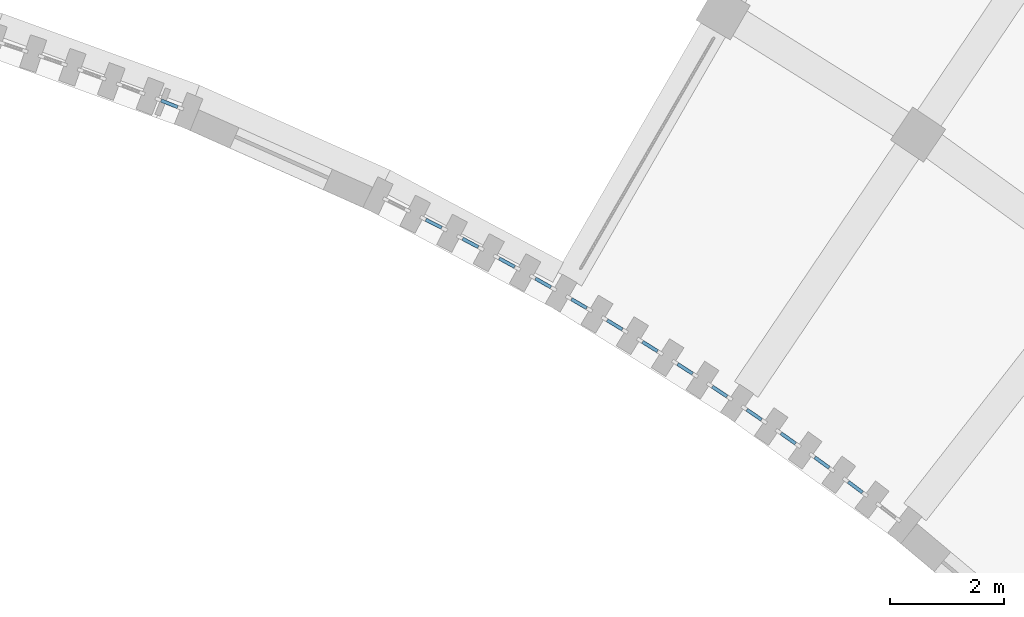
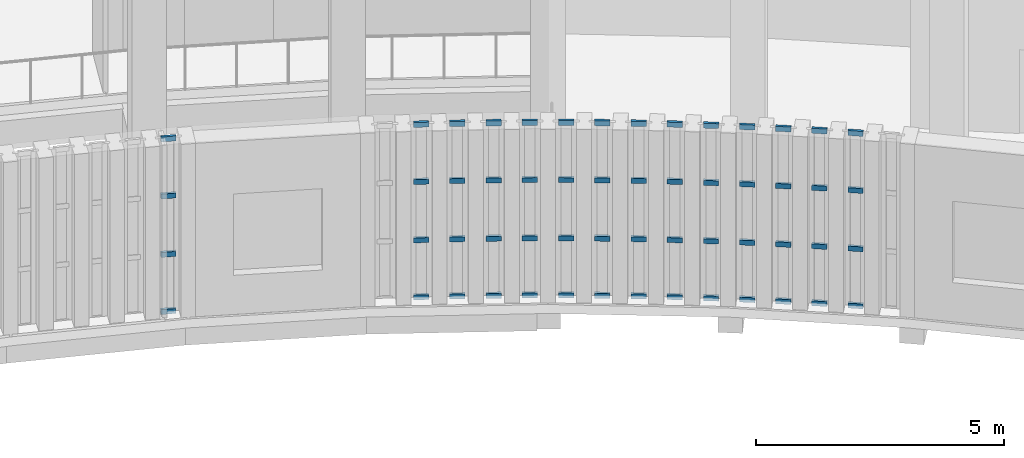
# One storey, part 36 of 112: 56 members, 14 elements without a shape of their own.
"""IFC4 building model written with IfcOpenShell, lengths in metres."""

import ifcopenshell
import ifcopenshell.guid

model = None  # the IFC model being written
_history = None  # IfcOwnerHistory: only IFC2X3 demands one
_inside = {}  # id of a spatial element -> (the spatial element, [elements in it])
_under = {}  # id of a project, library or spatial element -> (it, [spatial elements below it])
_declared = {}  # id of a project -> (the project, [libraries it declares])
_typed = {}  # id of a type object -> (the type object, [elements of that type])
_made_of = {}  # id of a material, layer set ... -> (it, [elements and type objects made of it])


def new_model(schema):
    """Start an empty IFC model of exactly this schema.

    Asked for "IFC4X3", IfcOpenShell would pick the latest addendum, in which some entities
    have other attributes; the version numbers below select the first issue.
    IFC2X3 requires an IfcOwnerHistory on every rooted entity: one is made here for all.
    """
    global model, _history
    if schema == "IFC4X3":
        model = ifcopenshell.file(schema_version=(4, 3, 0, 0))
    else:
        model = ifcopenshell.file(schema=schema)
    _inside.clear()
    _under.clear()
    _declared.clear()
    _typed.clear()
    _made_of.clear()
    _history = None
    if model.schema == "IFC2X3":
        org = make("IfcOrganization", Name="unknown")
        user = make(
            "IfcPersonAndOrganization",
            ThePerson=make("IfcPerson", FamilyName="unknown"),
            TheOrganization=org,
        )
        app = make(
            "IfcApplication",
            ApplicationDeveloper=org,
            Version="unknown",
            ApplicationFullName="unknown",
            ApplicationIdentifier="unknown",
        )
        _history = make(
            "IfcOwnerHistory",
            OwningUser=user,
            OwningApplication=app,
            ChangeAction="ADDED",
            CreationDate=0,
        )
    return model


def make(cls, **values):
    """One entity of the class cls with the attributes given. An attribute that is None is left unset."""
    return model.create_entity(
        cls, **{name: value for name, value in values.items() if value is not None}
    )


def rooted(cls, **values):
    """An entity with a GlobalId (a new one), such as an element, a storey or a relation."""
    return make(cls, GlobalId=ifcopenshell.guid.new(), OwnerHistory=_history, **values)


def si_unit(unit_type, name, prefix=None):
    """IfcSIUnit, for example si_unit("LENGTHUNIT", "METRE", prefix="MILLI")."""
    return make("IfcSIUnit", UnitType=unit_type, Prefix=prefix, Name=name)


def assignment(units):
    """IfcUnitAssignment: the units of a project."""
    return None if units is None else make("IfcUnitAssignment", Units=units)


def point(xyz):
    """IfcCartesianPoint."""
    return None if xyz is None else make("IfcCartesianPoint", Coordinates=xyz)


def direction(xyz):
    """IfcDirection."""
    return None if xyz is None else make("IfcDirection", DirectionRatios=xyz)


def frame(location, z_axis=None, x_axis=None):
    """IfcAxis2Placement3D, a coordinate frame: its origin and axes. An axis left out is left unset."""
    return make(
        "IfcAxis2Placement3D",
        Location=point(location),
        Axis=direction(z_axis),
        RefDirection=direction(x_axis),
    )


def frame_2d(location, x_axis=None):
    """IfcAxis2Placement2D, a coordinate frame in the plane: its origin and x axis."""
    return make(
        "IfcAxis2Placement2D", Location=point(location), RefDirection=direction(x_axis)
    )


def origin():
    """The frame at (0, 0, 0) with its axes left unset."""
    return frame((0.0, 0.0, 0.0))


def origin_2d():
    """The frame at (0, 0) in the plane with its x axis left unset."""
    return frame_2d((0.0, 0.0))


def place(relative_to, where):
    """IfcLocalPlacement: puts the frame where relative to a parent placement (None: the world)."""
    return make(
        "IfcLocalPlacement", PlacementRelTo=relative_to, RelativePlacement=where
    )


def context(
    kind, dimensions, precision=None, world=None, true_north=None, identifier=None
):
    """IfcGeometricRepresentationContext, for example the 3D "Model" context."""
    return make(
        "IfcGeometricRepresentationContext",
        ContextIdentifier=identifier,
        ContextType=kind,
        CoordinateSpaceDimension=dimensions,
        Precision=precision,
        WorldCoordinateSystem=world,
        TrueNorth=true_north,
    )


def subcontext(parent, identifier, kind, view, scale=None):
    """IfcGeometricRepresentationSubContext, for example "Body" below "Model"."""
    return make(
        "IfcGeometricRepresentationSubContext",
        ContextIdentifier=identifier,
        ContextType=kind,
        ParentContext=parent,
        TargetScale=scale,
        TargetView=view,
    )


def project(units=None, contexts=None):
    """IfcProject with its units and contexts."""
    return rooted(
        "IfcProject",
        Name="project",
        RepresentationContexts=contexts,
        UnitsInContext=assignment(units),
    )


def spatial(cls, under=None, at=None, **own):
    """A site, building, storey or space (cls), placed at a placement, below another one or the project."""
    s = rooted(cls, ObjectPlacement=at, **own)
    if under is not None:
        _under.setdefault(under.id(), (under, []))[1].append(s)
    return s


def profile(cls, at=None, kind="AREA", **sizes):
    """A parametric profile (cls). Its sizes go by their IFC names, for example OverallWidth=200.0."""
    return make(cls, ProfileType=kind, Position=at, **sizes)


def rectangle(**sizes):
    """IfcRectangleProfileDef."""
    return profile("IfcRectangleProfileDef", **sizes)


def extrude(swept, where, along, depth):
    """IfcExtrudedAreaSolid: the profile swept, set in the frame where, extruded along a direction by depth."""
    return make(
        "IfcExtrudedAreaSolid",
        SweptArea=swept,
        Position=where,
        ExtrudedDirection=direction(along),
        Depth=depth,
    )


def shape(context_of_items, identifier, shape_type, items):
    """IfcShapeRepresentation: the items that make up one representation, for example the "Body"."""
    return make(
        "IfcShapeRepresentation",
        ContextOfItems=context_of_items,
        RepresentationIdentifier=identifier,
        RepresentationType=shape_type,
        Items=items,
    )


def material(Name=None, Category=None):
    """IfcMaterial."""
    return make("IfcMaterial", Name=Name, Category=Category)


def layer(
    of_material, thickness, ventilated=None, Name=None, Category=None, Priority=None
):
    """IfcMaterialLayer: one layer of a wall or slab, of a material (None: an air gap)."""
    return make(
        "IfcMaterialLayer",
        Material=of_material,
        LayerThickness=thickness,
        IsVentilated=ventilated,
        Name=Name,
        Category=Category,
        Priority=Priority,
    )


def layer_set(layers, Name=None):
    """IfcMaterialLayerSet."""
    return make("IfcMaterialLayerSet", MaterialLayers=layers, LayerSetName=Name)


def material_profile(
    of_material, cross_section, Name=None, Category=None, Priority=None
):
    """IfcMaterialProfile: a cross section and its material."""
    return make(
        "IfcMaterialProfile",
        Name=Name,
        Material=of_material,
        Profile=cross_section,
        Priority=Priority,
        Category=Category,
    )


def profile_set(profiles, Name=None, composite=None):
    """IfcMaterialProfileSet."""
    return make(
        "IfcMaterialProfileSet",
        Name=Name,
        MaterialProfiles=profiles,
        CompositeProfile=composite,
    )


def made_of(thing, what):
    """Note that an element or type object is made of a material, layer set ...; save() writes the relation."""
    if what is not None:
        _made_of.setdefault(what.id(), (what, []))[1].append(thing)
    return thing


def type_object(cls, material=None, **own):
    """A type object (cls), such as IfcWallType, which elements share."""
    return made_of(rooted(cls, **own), material)


def element(
    cls,
    number,
    at=None,
    inside=None,
    cuts=None,
    type_object=None,
    material=None,
    context=None,
    identifier="Body",
    shape_type=None,
    held_by="IfcProductDefinitionShape",
    body=None,
    shapes=None,
    **own,
):
    """One element of the class cls, such as IfcWall. Its Tag is "e" and its number.

    at: its placement. inside: the storey or other place that contains it. cuts: it is an
    opening in that element (IfcRelVoidsElement). A single representation is given by context,
    identifier, shape_type and body (its items); several are given by shapes. held_by: the class
    of the entity that holds the representations. save() writes the other relations.
    """
    e = rooted(cls, Tag="e%d" % number, ObjectPlacement=at, **own)
    if body is not None:
        shapes = [shape(context, identifier, shape_type, body)]
    if shapes is not None:
        e.Representation = make(held_by, Representations=shapes)
    if inside is not None:
        _inside.setdefault(inside.id(), (inside, []))[1].append(e)
    if cuts is not None:
        rooted(
            "IfcRelVoidsElement", RelatingBuildingElement=cuts, RelatedOpeningElement=e
        )
    if type_object is not None:
        _typed.setdefault(type_object.id(), (type_object, []))[1].append(e)
    return made_of(e, material)


def aggregate(whole, parts):
    """IfcRelAggregates: a whole, such as a stair, and the parts it consists of."""
    return rooted("IfcRelAggregates", RelatingObject=whole, RelatedObjects=parts)


def save(model, path):
    """Write the relations noted so far, then the file.

    IfcRelAggregates (storeys below a building ...), IfcRelContainedInSpatialStructure (elements
    in a storey), IfcRelDefinesByType, IfcRelAssociatesMaterial and IfcRelDeclares: one each for
    every whole, place, type object, material and project.
    """
    for whole, parts in _under.values():
        aggregate(whole, parts)
    for where, things in _inside.values():
        rooted(
            "IfcRelContainedInSpatialStructure",
            RelatedElements=things,
            RelatingStructure=where,
        )
    for kind, things in _typed.values():
        rooted("IfcRelDefinesByType", RelatedObjects=things, RelatingType=kind)
    for what, things in _made_of.values():
        rooted("IfcRelAssociatesMaterial", RelatedObjects=things, RelatingMaterial=what)
    for by, libraries in _declared.values():
        rooted("IfcRelDeclares", RelatingContext=by, RelatedDefinitions=libraries)
    model.write(path)


model = new_model("IFC4")

# Units and contexts
model_context = context("Model", 3, precision=1e-05, world=origin(), true_north=direction((0.0, 1.0)))
body_context = subcontext(model_context, "Body", "Model", "MODEL_VIEW")
ifc_project = project(units=[si_unit("LENGTHUNIT", "METRE"), si_unit("AREAUNIT", "SQUARE_METRE"), si_unit("VOLUMEUNIT", "CUBIC_METRE"), si_unit("PLANEANGLEUNIT", "RADIAN"), si_unit("MASSUNIT", "GRAM", prefix="KILO")], contexts=[model_context])

# Site, building, storey
site_placement = place(None, origin())
site = spatial("IfcSite", under=ifc_project, at=site_placement, CompositionType="ELEMENT")
building_placement = place(site_placement, origin())
building = spatial("IfcBuilding", under=site, at=building_placement, Name="Lunette Opera House", CompositionType="ELEMENT")
storey_placement = place(building_placement, frame((0.0, 0.0, 6.0)))
storey = spatial("IfcBuildingStorey", under=building, at=storey_placement, Name="L01", CompositionType="ELEMENT", Elevation=6.0)

# Curtain wall, members
ifc_material_1 = material(Name="Aluminium", Category="aluminium")
ifc_layer = layer(ifc_material_1, 0.1201171875)
ifc_layer_set = layer_set([ifc_layer], Name="Aluminium")
curtain_wall_type = type_object("IfcCurtainWallType", Name="SLOT CURTAIN WALL", PredefinedType="NOTDEFINED", material=ifc_layer_set)
curtain_wall_1_placement = place(storey_placement, origin())
curtain_wall_1 = element("IfcCurtainWall", 1, at=curtain_wall_1_placement, inside=storey, type_object=curtain_wall_type, Name="Slot Curtain Wall CS060 L01", PredefinedType="NOTDEFINED")
ifc_material_2 = material(Name="Aluminium", Category="aluminium")
ifc_material_profile = material_profile(ifc_material_2, rectangle(XDim=0.06005859375, YDim=0.1201171875, at=origin_2d()), Name="TRANSOM 60 X 120")
ifc_profile_set = profile_set([ifc_material_profile], Name="Aluminium")
member_type = type_object("IfcMemberType", Name="TRANSOM 60 X 120", PredefinedType="USERDEFINED", material=ifc_profile_set)
member_1_placement = place(storey_placement, frame((115.10888671875, 48.683837890625, 0.030029296875), z_axis=(0.93020476491, -0.367040999533, 0.0), x_axis=(0.367040999533, 0.93020476491, 0.0)))
member_1 = element("IfcMember", 2, at=member_1_placement, type_object=member_type, Name="FC-X2120 transom 1.1", ObjectType="TRANSOM", PredefinedType="USERDEFINED", context=body_context, shape_type="SweptSolid", body=[
    extrude(rectangle(XDim=0.06005859375, YDim=0.1201171875, at=origin_2d()), origin(), (0.0, 0.0, 1.0), 0.31005859375),
])
member_2_placement = place(storey_placement, frame((115.10888671875, 48.683837890625, 1.43310546875), z_axis=(0.93020476491, -0.367040999533, 0.0), x_axis=(0.367040999533, 0.93020476491, 0.0)))
member_2 = element("IfcMember", 3, at=member_2_placement, type_object=member_type, Name="FC-X2120 transom 1.2", ObjectType="TRANSOM", PredefinedType="USERDEFINED", context=body_context, shape_type="SweptSolid", body=[
    extrude(rectangle(XDim=0.06005859375, YDim=0.1201171875, at=origin_2d()), origin(), (0.0, 0.0, 1.0), 0.31005859375),
])
member_3_placement = place(storey_placement, frame((115.10888671875, 48.683837890625, 2.866943359375), z_axis=(0.93020476491, -0.367040999533, 0.0), x_axis=(0.367040999533, 0.93020476491, 0.0)))
member_3 = element("IfcMember", 4, at=member_3_placement, type_object=member_type, Name="FC-X2120 transom 1.3", ObjectType="TRANSOM", PredefinedType="USERDEFINED", context=body_context, shape_type="SweptSolid", body=[
    extrude(rectangle(XDim=0.06005859375, YDim=0.1201171875, at=origin_2d()), origin(), (0.0, 0.0, 1.0), 0.31005859375),
])
member_4_placement = place(storey_placement, frame((115.10888671875, 48.683837890625, 4.27001953125), z_axis=(0.93020476491, -0.367040999533, 0.0), x_axis=(0.367040999533, 0.93020476491, 0.0)))
member_4 = element("IfcMember", 5, at=member_4_placement, type_object=member_type, Name="FC-X2120 transom 1.4", ObjectType="TRANSOM", PredefinedType="USERDEFINED", context=body_context, shape_type="SweptSolid", body=[
    extrude(rectangle(XDim=0.06005859375, YDim=0.1201171875, at=origin_2d()), origin(), (0.0, 0.0, 1.0), 0.31005859375),
])
aggregate(curtain_wall_1, [member_1, member_2, member_3, member_4])

curtain_wall_2_placement = place(storey_placement, origin())
curtain_wall_2 = element("IfcCurtainWall", 6, at=curtain_wall_2_placement, inside=storey, type_object=curtain_wall_type, Name="Slot Curtain Wall CS062 L01", PredefinedType="NOTDEFINED")
member_5_placement = place(storey_placement, frame((119.768310546875, 46.586669921875, 0.030029296875), z_axis=(0.889644962641, -0.456652866462, 0.0), x_axis=(0.456652866462, 0.889644962641, 0.0)))
member_5 = element("IfcMember", 7, at=member_5_placement, type_object=member_type, Name="FC-X2124 transom 1.1", ObjectType="TRANSOM", PredefinedType="USERDEFINED", context=body_context, shape_type="SweptSolid", body=[
    extrude(rectangle(XDim=0.06005859375, YDim=0.1201171875, at=origin_2d()), origin(), (0.0, 0.0, 1.0), 0.3095703125),
])
member_6_placement = place(storey_placement, frame((119.768310546875, 46.586669921875, 1.43310546875), z_axis=(0.889644962641, -0.456652866462, 0.0), x_axis=(0.456652866462, 0.889644962641, 0.0)))
member_6 = element("IfcMember", 8, at=member_6_placement, type_object=member_type, Name="FC-X2124 transom 1.2", ObjectType="TRANSOM", PredefinedType="USERDEFINED", context=body_context, shape_type="SweptSolid", body=[
    extrude(rectangle(XDim=0.06005859375, YDim=0.1201171875, at=origin_2d()), origin(), (0.0, 0.0, 1.0), 0.3095703125),
])
member_7_placement = place(storey_placement, frame((119.768310546875, 46.586669921875, 2.866943359375), z_axis=(0.889644962641, -0.456652866462, 0.0), x_axis=(0.456652866462, 0.889644962641, 0.0)))
member_7 = element("IfcMember", 9, at=member_7_placement, type_object=member_type, Name="FC-X2124 transom 1.3", ObjectType="TRANSOM", PredefinedType="USERDEFINED", context=body_context, shape_type="SweptSolid", body=[
    extrude(rectangle(XDim=0.06005859375, YDim=0.1201171875, at=origin_2d()), origin(), (0.0, 0.0, 1.0), 0.3095703125),
])
member_8_placement = place(storey_placement, frame((119.768310546875, 46.586669921875, 4.27001953125), z_axis=(0.889644962641, -0.456652866462, 0.0), x_axis=(0.456652866462, 0.889644962641, 0.0)))
member_8 = element("IfcMember", 10, at=member_8_placement, type_object=member_type, Name="FC-X2124 transom 1.4", ObjectType="TRANSOM", PredefinedType="USERDEFINED", context=body_context, shape_type="SweptSolid", body=[
    extrude(rectangle(XDim=0.06005859375, YDim=0.1201171875, at=origin_2d()), origin(), (0.0, 0.0, 1.0), 0.3095703125),
])
aggregate(curtain_wall_2, [member_5, member_6, member_7, member_8])

curtain_wall_3_placement = place(storey_placement, origin())
curtain_wall_3 = element("IfcCurtainWall", 11, at=curtain_wall_3_placement, inside=storey, type_object=curtain_wall_type, Name="Slot Curtain Wall CS063 L01", PredefinedType="NOTDEFINED")
member_9_placement = place(storey_placement, frame((120.416015625, 46.250732421875, 0.030029296875), z_axis=(0.883136100726, -0.469116859209, 0.0), x_axis=(0.469116859209, 0.883136100726, 0.0)))
member_9 = element("IfcMember", 12, at=member_9_placement, type_object=member_type, Name="FC-X2126 transom 1.1", ObjectType="TRANSOM", PredefinedType="USERDEFINED", context=body_context, shape_type="SweptSolid", body=[
    extrude(rectangle(XDim=0.06005859375, YDim=0.1201171875, at=origin_2d()), origin(), (0.0, 0.0, 1.0), 0.31005859375),
])
member_10_placement = place(storey_placement, frame((120.416015625, 46.250732421875, 1.43310546875), z_axis=(0.883136100726, -0.469116859209, 0.0), x_axis=(0.469116859209, 0.883136100726, 0.0)))
member_10 = element("IfcMember", 13, at=member_10_placement, type_object=member_type, Name="FC-X2126 transom 1.2", ObjectType="TRANSOM", PredefinedType="USERDEFINED", context=body_context, shape_type="SweptSolid", body=[
    extrude(rectangle(XDim=0.06005859375, YDim=0.1201171875, at=origin_2d()), origin(), (0.0, 0.0, 1.0), 0.31005859375),
])
member_11_placement = place(storey_placement, frame((120.416015625, 46.250732421875, 2.866943359375), z_axis=(0.883136100726, -0.469116859209, 0.0), x_axis=(0.469116859209, 0.883136100726, 0.0)))
member_11 = element("IfcMember", 14, at=member_11_placement, type_object=member_type, Name="FC-X2126 transom 1.3", ObjectType="TRANSOM", PredefinedType="USERDEFINED", context=body_context, shape_type="SweptSolid", body=[
    extrude(rectangle(XDim=0.06005859375, YDim=0.1201171875, at=origin_2d()), origin(), (0.0, 0.0, 1.0), 0.31005859375),
])
member_12_placement = place(storey_placement, frame((120.416015625, 46.250732421875, 4.27001953125), z_axis=(0.883136100726, -0.469116859209, 0.0), x_axis=(0.469116859209, 0.883136100726, 0.0)))
member_12 = element("IfcMember", 15, at=member_12_placement, type_object=member_type, Name="FC-X2126 transom 1.4", ObjectType="TRANSOM", PredefinedType="USERDEFINED", context=body_context, shape_type="SweptSolid", body=[
    extrude(rectangle(XDim=0.06005859375, YDim=0.1201171875, at=origin_2d()), origin(), (0.0, 0.0, 1.0), 0.31005859375),
])
aggregate(curtain_wall_3, [member_9, member_10, member_11, member_12])

curtain_wall_4_placement = place(storey_placement, origin())
curtain_wall_4 = element("IfcCurtainWall", 16, at=curtain_wall_4_placement, inside=storey, type_object=curtain_wall_type, Name="Slot Curtain Wall CS064 L01", PredefinedType="NOTDEFINED")
member_13_placement = place(storey_placement, frame((121.0595703125, 45.905029296875, 0.030029296875), z_axis=(0.87659809462, -0.48122321277, 0.0), x_axis=(0.48122321277, 0.87659809462, 0.0)))
member_13 = element("IfcMember", 17, at=member_13_placement, type_object=member_type, Name="FC-X2128 transom 1.1", ObjectType="TRANSOM", PredefinedType="USERDEFINED", context=body_context, shape_type="SweptSolid", body=[
    extrude(rectangle(XDim=0.06005859375, YDim=0.1201171875, at=origin_2d()), origin(), (0.0, 0.0, 1.0), 0.31005859375),
])
member_14_placement = place(storey_placement, frame((121.0595703125, 45.905029296875, 1.43310546875), z_axis=(0.87659809462, -0.48122321277, 0.0), x_axis=(0.48122321277, 0.87659809462, 0.0)))
member_14 = element("IfcMember", 18, at=member_14_placement, type_object=member_type, Name="FC-X2128 transom 1.2", ObjectType="TRANSOM", PredefinedType="USERDEFINED", context=body_context, shape_type="SweptSolid", body=[
    extrude(rectangle(XDim=0.06005859375, YDim=0.1201171875, at=origin_2d()), origin(), (0.0, 0.0, 1.0), 0.31005859375),
])
member_15_placement = place(storey_placement, frame((121.0595703125, 45.905029296875, 2.866943359375), z_axis=(0.87659809462, -0.48122321277, 0.0), x_axis=(0.48122321277, 0.87659809462, 0.0)))
member_15 = element("IfcMember", 19, at=member_15_placement, type_object=member_type, Name="FC-X2128 transom 1.3", ObjectType="TRANSOM", PredefinedType="USERDEFINED", context=body_context, shape_type="SweptSolid", body=[
    extrude(rectangle(XDim=0.06005859375, YDim=0.1201171875, at=origin_2d()), origin(), (0.0, 0.0, 1.0), 0.31005859375),
])
member_16_placement = place(storey_placement, frame((121.0595703125, 45.905029296875, 4.27001953125), z_axis=(0.87659809462, -0.48122321277, 0.0), x_axis=(0.48122321277, 0.87659809462, 0.0)))
member_16 = element("IfcMember", 20, at=member_16_placement, type_object=member_type, Name="FC-X2128 transom 1.4", ObjectType="TRANSOM", PredefinedType="USERDEFINED", context=body_context, shape_type="SweptSolid", body=[
    extrude(rectangle(XDim=0.06005859375, YDim=0.1201171875, at=origin_2d()), origin(), (0.0, 0.0, 1.0), 0.31005859375),
])
aggregate(curtain_wall_4, [member_13, member_14, member_15, member_16])

curtain_wall_5_placement = place(storey_placement, origin())
curtain_wall_5 = element("IfcCurtainWall", 21, at=curtain_wall_5_placement, inside=storey, type_object=curtain_wall_type, Name="Slot Curtain Wall CS065 L01", PredefinedType="NOTDEFINED")
member_17_placement = place(storey_placement, frame((121.6982421875, 45.55029296875, 0.030029296875), z_axis=(0.870224974821, -0.492654537376, 0.0), x_axis=(0.492654537376, 0.870224974821, 0.0)))
member_17 = element("IfcMember", 22, at=member_17_placement, type_object=member_type, Name="FC-X2130 transom 1.1", ObjectType="TRANSOM", PredefinedType="USERDEFINED", context=body_context, shape_type="SweptSolid", body=[
    extrude(rectangle(XDim=0.06005859375, YDim=0.1201171875, at=origin_2d()), origin(), (0.0, 0.0, 1.0), 0.309814453125),
])
member_18_placement = place(storey_placement, frame((121.6982421875, 45.55029296875, 1.43310546875), z_axis=(0.870224974821, -0.492654537376, 0.0), x_axis=(0.492654537376, 0.870224974821, 0.0)))
member_18 = element("IfcMember", 23, at=member_18_placement, type_object=member_type, Name="FC-X2130 transom 1.2", ObjectType="TRANSOM", PredefinedType="USERDEFINED", context=body_context, shape_type="SweptSolid", body=[
    extrude(rectangle(XDim=0.06005859375, YDim=0.1201171875, at=origin_2d()), origin(), (0.0, 0.0, 1.0), 0.309814453125),
])
member_19_placement = place(storey_placement, frame((121.6982421875, 45.55029296875, 2.866943359375), z_axis=(0.870224974821, -0.492654537376, 0.0), x_axis=(0.492654537376, 0.870224974821, 0.0)))
member_19 = element("IfcMember", 24, at=member_19_placement, type_object=member_type, Name="FC-X2130 transom 1.3", ObjectType="TRANSOM", PredefinedType="USERDEFINED", context=body_context, shape_type="SweptSolid", body=[
    extrude(rectangle(XDim=0.06005859375, YDim=0.1201171875, at=origin_2d()), origin(), (0.0, 0.0, 1.0), 0.309814453125),
])
member_20_placement = place(storey_placement, frame((121.6982421875, 45.55029296875, 4.27001953125), z_axis=(0.870224974821, -0.492654537376, 0.0), x_axis=(0.492654537376, 0.870224974821, 0.0)))
member_20 = element("IfcMember", 25, at=member_20_placement, type_object=member_type, Name="FC-X2130 transom 1.4", ObjectType="TRANSOM", PredefinedType="USERDEFINED", context=body_context, shape_type="SweptSolid", body=[
    extrude(rectangle(XDim=0.06005859375, YDim=0.1201171875, at=origin_2d()), origin(), (0.0, 0.0, 1.0), 0.309814453125),
])
aggregate(curtain_wall_5, [member_17, member_18, member_19, member_20])

curtain_wall_6_placement = place(storey_placement, origin())
curtain_wall_6 = element("IfcCurtainWall", 26, at=curtain_wall_6_placement, inside=storey, type_object=curtain_wall_type, Name="Slot Curtain Wall CS066 L01", PredefinedType="NOTDEFINED")
member_21_placement = place(storey_placement, frame((122.331787109375, 45.1875, 0.030029296875), z_axis=(0.862520326082, -0.506022417583, 0.0), x_axis=(0.506022417583, 0.862520326082, 0.0)))
member_21 = element("IfcMember", 27, at=member_21_placement, type_object=member_type, Name="FC-X2132 transom 1.1", ObjectType="TRANSOM", PredefinedType="USERDEFINED", context=body_context, shape_type="SweptSolid", body=[
    extrude(rectangle(XDim=0.06005859375, YDim=0.1201171875, at=origin_2d()), origin(), (0.0, 0.0, 1.0), 0.310302734375),
])
member_22_placement = place(storey_placement, frame((122.331787109375, 45.1875, 1.43310546875), z_axis=(0.862520326082, -0.506022417583, 0.0), x_axis=(0.506022417583, 0.862520326082, 0.0)))
member_22 = element("IfcMember", 28, at=member_22_placement, type_object=member_type, Name="FC-X2132 transom 1.2", ObjectType="TRANSOM", PredefinedType="USERDEFINED", context=body_context, shape_type="SweptSolid", body=[
    extrude(rectangle(XDim=0.06005859375, YDim=0.1201171875, at=origin_2d()), origin(), (0.0, 0.0, 1.0), 0.310302734375),
])
member_23_placement = place(storey_placement, frame((122.331787109375, 45.1875, 2.866943359375), z_axis=(0.862520326082, -0.506022417583, 0.0), x_axis=(0.506022417583, 0.862520326082, 0.0)))
member_23 = element("IfcMember", 29, at=member_23_placement, type_object=member_type, Name="FC-X2132 transom 1.3", ObjectType="TRANSOM", PredefinedType="USERDEFINED", context=body_context, shape_type="SweptSolid", body=[
    extrude(rectangle(XDim=0.06005859375, YDim=0.1201171875, at=origin_2d()), origin(), (0.0, 0.0, 1.0), 0.310302734375),
])
member_24_placement = place(storey_placement, frame((122.331787109375, 45.1875, 4.27001953125), z_axis=(0.862520326082, -0.506022417583, 0.0), x_axis=(0.506022417583, 0.862520326082, 0.0)))
member_24 = element("IfcMember", 30, at=member_24_placement, type_object=member_type, Name="FC-X2132 transom 1.4", ObjectType="TRANSOM", PredefinedType="USERDEFINED", context=body_context, shape_type="SweptSolid", body=[
    extrude(rectangle(XDim=0.06005859375, YDim=0.1201171875, at=origin_2d()), origin(), (0.0, 0.0, 1.0), 0.310302734375),
])
aggregate(curtain_wall_6, [member_21, member_22, member_23, member_24])

curtain_wall_7_placement = place(storey_placement, origin())
curtain_wall_7 = element("IfcCurtainWall", 31, at=curtain_wall_7_placement, inside=storey, type_object=curtain_wall_type, Name="Slot Curtain Wall CS067 L01", PredefinedType="NOTDEFINED")
member_25_placement = place(storey_placement, frame((122.960205078125, 44.81591796875, 0.030029296875), z_axis=(0.855123856729, -0.518423754908, 0.0), x_axis=(0.518423754908, 0.855123856729, 0.0)))
member_25 = element("IfcMember", 32, at=member_25_placement, type_object=member_type, Name="FC-X2134 transom 1.1", ObjectType="TRANSOM", PredefinedType="USERDEFINED", context=body_context, shape_type="SweptSolid", body=[
    extrude(rectangle(XDim=0.06005859375, YDim=0.1201171875, at=origin_2d()), origin(), (0.0, 0.0, 1.0), 0.310302734375),
])
member_26_placement = place(storey_placement, frame((122.960205078125, 44.81591796875, 1.43310546875), z_axis=(0.855123856729, -0.518423754908, 0.0), x_axis=(0.518423754908, 0.855123856729, 0.0)))
member_26 = element("IfcMember", 33, at=member_26_placement, type_object=member_type, Name="FC-X2134 transom 1.2", ObjectType="TRANSOM", PredefinedType="USERDEFINED", context=body_context, shape_type="SweptSolid", body=[
    extrude(rectangle(XDim=0.06005859375, YDim=0.1201171875, at=origin_2d()), origin(), (0.0, 0.0, 1.0), 0.310302734375),
])
member_27_placement = place(storey_placement, frame((122.960205078125, 44.81591796875, 2.866943359375), z_axis=(0.855123856729, -0.518423754908, 0.0), x_axis=(0.518423754908, 0.855123856729, 0.0)))
member_27 = element("IfcMember", 34, at=member_27_placement, type_object=member_type, Name="FC-X2134 transom 1.3", ObjectType="TRANSOM", PredefinedType="USERDEFINED", context=body_context, shape_type="SweptSolid", body=[
    extrude(rectangle(XDim=0.06005859375, YDim=0.1201171875, at=origin_2d()), origin(), (0.0, 0.0, 1.0), 0.310302734375),
])
member_28_placement = place(storey_placement, frame((122.960205078125, 44.81591796875, 4.27001953125), z_axis=(0.855123856729, -0.518423754908, 0.0), x_axis=(0.518423754908, 0.855123856729, 0.0)))
member_28 = element("IfcMember", 35, at=member_28_placement, type_object=member_type, Name="FC-X2134 transom 1.4", ObjectType="TRANSOM", PredefinedType="USERDEFINED", context=body_context, shape_type="SweptSolid", body=[
    extrude(rectangle(XDim=0.06005859375, YDim=0.1201171875, at=origin_2d()), origin(), (0.0, 0.0, 1.0), 0.310302734375),
])
aggregate(curtain_wall_7, [member_25, member_26, member_27, member_28])

curtain_wall_8_placement = place(storey_placement, origin())
curtain_wall_8 = element("IfcCurtainWall", 36, at=curtain_wall_8_placement, inside=storey, type_object=curtain_wall_type, Name="Slot Curtain Wall CS068 L01", PredefinedType="NOTDEFINED")
member_29_placement = place(storey_placement, frame((123.5830078125, 44.435302734375, 0.030029296875), z_axis=(0.847909914871, -0.530140336385, 0.0), x_axis=(0.530140336385, 0.847909914871, 0.0)))
member_29 = element("IfcMember", 37, at=member_29_placement, type_object=member_type, Name="FC-X2136 transom 1.1", ObjectType="TRANSOM", PredefinedType="USERDEFINED", context=body_context, shape_type="SweptSolid", body=[
    extrude(rectangle(XDim=0.06005859375, YDim=0.1201171875, at=origin_2d()), origin(), (0.0, 0.0, 1.0), 0.310302734375),
])
member_30_placement = place(storey_placement, frame((123.5830078125, 44.435302734375, 1.43310546875), z_axis=(0.847909914871, -0.530140336385, 0.0), x_axis=(0.530140336385, 0.847909914871, 0.0)))
member_30 = element("IfcMember", 38, at=member_30_placement, type_object=member_type, Name="FC-X2136 transom 1.2", ObjectType="TRANSOM", PredefinedType="USERDEFINED", context=body_context, shape_type="SweptSolid", body=[
    extrude(rectangle(XDim=0.06005859375, YDim=0.1201171875, at=origin_2d()), origin(), (0.0, 0.0, 1.0), 0.310302734375),
])
member_31_placement = place(storey_placement, frame((123.5830078125, 44.435302734375, 2.866943359375), z_axis=(0.847909914871, -0.530140336385, 0.0), x_axis=(0.530140336385, 0.847909914871, 0.0)))
member_31 = element("IfcMember", 39, at=member_31_placement, type_object=member_type, Name="FC-X2136 transom 1.3", ObjectType="TRANSOM", PredefinedType="USERDEFINED", context=body_context, shape_type="SweptSolid", body=[
    extrude(rectangle(XDim=0.06005859375, YDim=0.1201171875, at=origin_2d()), origin(), (0.0, 0.0, 1.0), 0.310302734375),
])
member_32_placement = place(storey_placement, frame((123.5830078125, 44.435302734375, 4.27001953125), z_axis=(0.847909914871, -0.530140336385, 0.0), x_axis=(0.530140336385, 0.847909914871, 0.0)))
member_32 = element("IfcMember", 40, at=member_32_placement, type_object=member_type, Name="FC-X2136 transom 1.4", ObjectType="TRANSOM", PredefinedType="USERDEFINED", context=body_context, shape_type="SweptSolid", body=[
    extrude(rectangle(XDim=0.06005859375, YDim=0.1201171875, at=origin_2d()), origin(), (0.0, 0.0, 1.0), 0.310302734375),
])
aggregate(curtain_wall_8, [member_29, member_30, member_31, member_32])

curtain_wall_9_placement = place(storey_placement, origin())
curtain_wall_9 = element("IfcCurtainWall", 41, at=curtain_wall_9_placement, inside=storey, type_object=curtain_wall_type, Name="Slot Curtain Wall CS069 L01", PredefinedType="NOTDEFINED")
member_33_placement = place(storey_placement, frame((124.200439453125, 44.04541015625, 0.030029296875), z_axis=(0.84089722299, -0.541194845105, 0.0), x_axis=(0.541194845105, 0.84089722299, 0.0)))
member_33 = element("IfcMember", 42, at=member_33_placement, type_object=member_type, Name="FC-X2138 transom 1.1", ObjectType="TRANSOM", PredefinedType="USERDEFINED", context=body_context, shape_type="SweptSolid", body=[
    extrude(rectangle(XDim=0.06005859375, YDim=0.1201171875, at=origin_2d()), origin(), (0.0, 0.0, 1.0), 0.310302734375),
])
member_34_placement = place(storey_placement, frame((124.200439453125, 44.04541015625, 1.43310546875), z_axis=(0.84089722299, -0.541194845105, 0.0), x_axis=(0.541194845105, 0.84089722299, 0.0)))
member_34 = element("IfcMember", 43, at=member_34_placement, type_object=member_type, Name="FC-X2138 transom 1.2", ObjectType="TRANSOM", PredefinedType="USERDEFINED", context=body_context, shape_type="SweptSolid", body=[
    extrude(rectangle(XDim=0.06005859375, YDim=0.1201171875, at=origin_2d()), origin(), (0.0, 0.0, 1.0), 0.310302734375),
])
member_35_placement = place(storey_placement, frame((124.200439453125, 44.04541015625, 2.866943359375), z_axis=(0.84089722299, -0.541194845105, 0.0), x_axis=(0.541194845105, 0.84089722299, 0.0)))
member_35 = element("IfcMember", 44, at=member_35_placement, type_object=member_type, Name="FC-X2138 transom 1.3", ObjectType="TRANSOM", PredefinedType="USERDEFINED", context=body_context, shape_type="SweptSolid", body=[
    extrude(rectangle(XDim=0.06005859375, YDim=0.1201171875, at=origin_2d()), origin(), (0.0, 0.0, 1.0), 0.310302734375),
])
member_36_placement = place(storey_placement, frame((124.200439453125, 44.04541015625, 4.27001953125), z_axis=(0.84089722299, -0.541194845105, 0.0), x_axis=(0.541194845105, 0.84089722299, 0.0)))
member_36 = element("IfcMember", 45, at=member_36_placement, type_object=member_type, Name="FC-X2138 transom 1.4", ObjectType="TRANSOM", PredefinedType="USERDEFINED", context=body_context, shape_type="SweptSolid", body=[
    extrude(rectangle(XDim=0.06005859375, YDim=0.1201171875, at=origin_2d()), origin(), (0.0, 0.0, 1.0), 0.310302734375),
])
aggregate(curtain_wall_9, [member_33, member_34, member_35, member_36])

curtain_wall_10_placement = place(storey_placement, origin())
curtain_wall_10 = element("IfcCurtainWall", 46, at=curtain_wall_10_placement, inside=storey, type_object=curtain_wall_type, Name="Slot Curtain Wall CS070 L01", PredefinedType="NOTDEFINED")
member_37_placement = place(storey_placement, frame((124.81298828125, 43.646728515625, 0.030029296875), z_axis=(0.832655762321, -0.553790918554, 0.0), x_axis=(0.553790918554, 0.832655762321, 0.0)))
member_37 = element("IfcMember", 47, at=member_37_placement, type_object=member_type, Name="FC-X2140 transom 1.1", ObjectType="TRANSOM", PredefinedType="USERDEFINED", context=body_context, shape_type="SweptSolid", body=[
    extrude(rectangle(XDim=0.06005859375, YDim=0.1201171875, at=origin_2d()), origin(), (0.0, 0.0, 1.0), 0.309814453125),
])
member_38_placement = place(storey_placement, frame((124.81298828125, 43.646728515625, 1.43310546875), z_axis=(0.832655762321, -0.553790918554, 0.0), x_axis=(0.553790918554, 0.832655762321, 0.0)))
member_38 = element("IfcMember", 48, at=member_38_placement, type_object=member_type, Name="FC-X2140 transom 1.2", ObjectType="TRANSOM", PredefinedType="USERDEFINED", context=body_context, shape_type="SweptSolid", body=[
    extrude(rectangle(XDim=0.06005859375, YDim=0.1201171875, at=origin_2d()), origin(), (0.0, 0.0, 1.0), 0.309814453125),
])
member_39_placement = place(storey_placement, frame((124.81298828125, 43.646728515625, 2.866943359375), z_axis=(0.832655762321, -0.553790918554, 0.0), x_axis=(0.553790918554, 0.832655762321, 0.0)))
member_39 = element("IfcMember", 49, at=member_39_placement, type_object=member_type, Name="FC-X2140 transom 1.3", ObjectType="TRANSOM", PredefinedType="USERDEFINED", context=body_context, shape_type="SweptSolid", body=[
    extrude(rectangle(XDim=0.06005859375, YDim=0.1201171875, at=origin_2d()), origin(), (0.0, 0.0, 1.0), 0.309814453125),
])
member_40_placement = place(storey_placement, frame((124.81298828125, 43.646728515625, 4.27001953125), z_axis=(0.832655762321, -0.553790918554, 0.0), x_axis=(0.553790918554, 0.832655762321, 0.0)))
member_40 = element("IfcMember", 50, at=member_40_placement, type_object=member_type, Name="FC-X2140 transom 1.4", ObjectType="TRANSOM", PredefinedType="USERDEFINED", context=body_context, shape_type="SweptSolid", body=[
    extrude(rectangle(XDim=0.06005859375, YDim=0.1201171875, at=origin_2d()), origin(), (0.0, 0.0, 1.0), 0.309814453125),
])
aggregate(curtain_wall_10, [member_37, member_38, member_39, member_40])

curtain_wall_11_placement = place(storey_placement, origin())
curtain_wall_11 = element("IfcCurtainWall", 51, at=curtain_wall_11_placement, inside=storey, type_object=curtain_wall_type, Name="Slot Curtain Wall CS071 L01", PredefinedType="NOTDEFINED")
member_41_placement = place(storey_placement, frame((125.41943359375, 43.2412109375, 0.030029296875), z_axis=(0.825210771516, -0.564824913202, 0.0), x_axis=(0.564824913202, 0.825210771516, 0.0)))
member_41 = element("IfcMember", 52, at=member_41_placement, type_object=member_type, Name="FC-X2142 transom 1.1", ObjectType="TRANSOM", PredefinedType="USERDEFINED", context=body_context, shape_type="SweptSolid", body=[
    extrude(rectangle(XDim=0.06005859375, YDim=0.1201171875, at=origin_2d()), origin(), (0.0, 0.0, 1.0), 0.310302734375),
])
member_42_placement = place(storey_placement, frame((125.41943359375, 43.2412109375, 1.43310546875), z_axis=(0.825210771516, -0.564824913202, 0.0), x_axis=(0.564824913202, 0.825210771516, 0.0)))
member_42 = element("IfcMember", 53, at=member_42_placement, type_object=member_type, Name="FC-X2142 transom 1.2", ObjectType="TRANSOM", PredefinedType="USERDEFINED", context=body_context, shape_type="SweptSolid", body=[
    extrude(rectangle(XDim=0.06005859375, YDim=0.1201171875, at=origin_2d()), origin(), (0.0, 0.0, 1.0), 0.310302734375),
])
member_43_placement = place(storey_placement, frame((125.41943359375, 43.2412109375, 2.866943359375), z_axis=(0.825210771516, -0.564824913202, 0.0), x_axis=(0.564824913202, 0.825210771516, 0.0)))
member_43 = element("IfcMember", 54, at=member_43_placement, type_object=member_type, Name="FC-X2142 transom 1.3", ObjectType="TRANSOM", PredefinedType="USERDEFINED", context=body_context, shape_type="SweptSolid", body=[
    extrude(rectangle(XDim=0.06005859375, YDim=0.1201171875, at=origin_2d()), origin(), (0.0, 0.0, 1.0), 0.310302734375),
])
member_44_placement = place(storey_placement, frame((125.41943359375, 43.2412109375, 4.27001953125), z_axis=(0.825210771516, -0.564824913202, 0.0), x_axis=(0.564824913202, 0.825210771516, 0.0)))
member_44 = element("IfcMember", 55, at=member_44_placement, type_object=member_type, Name="FC-X2142 transom 1.4", ObjectType="TRANSOM", PredefinedType="USERDEFINED", context=body_context, shape_type="SweptSolid", body=[
    extrude(rectangle(XDim=0.06005859375, YDim=0.1201171875, at=origin_2d()), origin(), (0.0, 0.0, 1.0), 0.310302734375),
])
aggregate(curtain_wall_11, [member_41, member_42, member_43, member_44])

curtain_wall_12_placement = place(storey_placement, origin())
curtain_wall_12 = element("IfcCurtainWall", 56, at=curtain_wall_12_placement, inside=storey, type_object=curtain_wall_type, Name="Slot Curtain Wall CS072 L01", PredefinedType="NOTDEFINED")
member_45_placement = place(storey_placement, frame((126.02001953125, 42.825439453125, 0.030029296875), z_axis=(0.817381498567, -0.57609676774, 0.0), x_axis=(0.57609676774, 0.817381498567, 0.0)))
member_45 = element("IfcMember", 57, at=member_45_placement, type_object=member_type, Name="FC-X2144 transom 1.1", ObjectType="TRANSOM", PredefinedType="USERDEFINED", context=body_context, shape_type="SweptSolid", body=[
    extrude(rectangle(XDim=0.06005859375, YDim=0.1201171875, at=origin_2d()), origin(), (0.0, 0.0, 1.0), 0.310546875),
])
member_46_placement = place(storey_placement, frame((126.02001953125, 42.825439453125, 1.43310546875), z_axis=(0.817381498567, -0.57609676774, 0.0), x_axis=(0.57609676774, 0.817381498567, 0.0)))
member_46 = element("IfcMember", 58, at=member_46_placement, type_object=member_type, Name="FC-X2144 transom 1.2", ObjectType="TRANSOM", PredefinedType="USERDEFINED", context=body_context, shape_type="SweptSolid", body=[
    extrude(rectangle(XDim=0.06005859375, YDim=0.1201171875, at=origin_2d()), origin(), (0.0, 0.0, 1.0), 0.310546875),
])
member_47_placement = place(storey_placement, frame((126.02001953125, 42.825439453125, 2.866943359375), z_axis=(0.817381498567, -0.57609676774, 0.0), x_axis=(0.57609676774, 0.817381498567, 0.0)))
member_47 = element("IfcMember", 59, at=member_47_placement, type_object=member_type, Name="FC-X2144 transom 1.3", ObjectType="TRANSOM", PredefinedType="USERDEFINED", context=body_context, shape_type="SweptSolid", body=[
    extrude(rectangle(XDim=0.06005859375, YDim=0.1201171875, at=origin_2d()), origin(), (0.0, 0.0, 1.0), 0.310546875),
])
member_48_placement = place(storey_placement, frame((126.02001953125, 42.825439453125, 4.27001953125), z_axis=(0.817381498567, -0.57609676774, 0.0), x_axis=(0.57609676774, 0.817381498567, 0.0)))
member_48 = element("IfcMember", 60, at=member_48_placement, type_object=member_type, Name="FC-X2144 transom 1.4", ObjectType="TRANSOM", PredefinedType="USERDEFINED", context=body_context, shape_type="SweptSolid", body=[
    extrude(rectangle(XDim=0.06005859375, YDim=0.1201171875, at=origin_2d()), origin(), (0.0, 0.0, 1.0), 0.310546875),
])
aggregate(curtain_wall_12, [member_45, member_46, member_47, member_48])

curtain_wall_13_placement = place(storey_placement, origin())
curtain_wall_13 = element("IfcCurtainWall", 61, at=curtain_wall_13_placement, inside=storey, type_object=curtain_wall_type, Name="Slot Curtain Wall CS073 L01", PredefinedType="NOTDEFINED")
member_49_placement = place(storey_placement, frame((126.615478515625, 42.40283203125, 0.030029296875), z_axis=(0.808600006297, -0.588358759446, 0.0), x_axis=(0.588358759446, 0.808600006297, 0.0)))
member_49 = element("IfcMember", 62, at=member_49_placement, type_object=member_type, Name="FC-X2146 transom 1.1", ObjectType="TRANSOM", PredefinedType="USERDEFINED", context=body_context, shape_type="SweptSolid", body=[
    extrude(rectangle(XDim=0.06005859375, YDim=0.1201171875, at=origin_2d()), origin(), (0.0, 0.0, 1.0), 0.310302734375),
])
member_50_placement = place(storey_placement, frame((126.615478515625, 42.40283203125, 1.43310546875), z_axis=(0.808600006297, -0.588358759446, 0.0), x_axis=(0.588358759446, 0.808600006297, 0.0)))
member_50 = element("IfcMember", 63, at=member_50_placement, type_object=member_type, Name="FC-X2146 transom 1.2", ObjectType="TRANSOM", PredefinedType="USERDEFINED", context=body_context, shape_type="SweptSolid", body=[
    extrude(rectangle(XDim=0.06005859375, YDim=0.1201171875, at=origin_2d()), origin(), (0.0, 0.0, 1.0), 0.310302734375),
])
member_51_placement = place(storey_placement, frame((126.615478515625, 42.40283203125, 2.866943359375), z_axis=(0.808600006297, -0.588358759446, 0.0), x_axis=(0.588358759446, 0.808600006297, 0.0)))
member_51 = element("IfcMember", 64, at=member_51_placement, type_object=member_type, Name="FC-X2146 transom 1.3", ObjectType="TRANSOM", PredefinedType="USERDEFINED", context=body_context, shape_type="SweptSolid", body=[
    extrude(rectangle(XDim=0.06005859375, YDim=0.1201171875, at=origin_2d()), origin(), (0.0, 0.0, 1.0), 0.310302734375),
])
member_52_placement = place(storey_placement, frame((126.615478515625, 42.40283203125, 4.27001953125), z_axis=(0.808600006297, -0.588358759446, 0.0), x_axis=(0.588358759446, 0.808600006297, 0.0)))
member_52 = element("IfcMember", 65, at=member_52_placement, type_object=member_type, Name="FC-X2146 transom 1.4", ObjectType="TRANSOM", PredefinedType="USERDEFINED", context=body_context, shape_type="SweptSolid", body=[
    extrude(rectangle(XDim=0.06005859375, YDim=0.1201171875, at=origin_2d()), origin(), (0.0, 0.0, 1.0), 0.310302734375),
])
aggregate(curtain_wall_13, [member_49, member_50, member_51, member_52])

curtain_wall_14_placement = place(storey_placement, origin())
curtain_wall_14 = element("IfcCurtainWall", 66, at=curtain_wall_14_placement, inside=storey, type_object=curtain_wall_type, Name="Slot Curtain Wall CS074 L01", PredefinedType="NOTDEFINED")
member_53_placement = place(storey_placement, frame((127.2041015625, 41.970947265625, 0.030029296875), z_axis=(0.800847988347, -0.598867681178, 0.0), x_axis=(0.598867681178, 0.800847988347, 0.0)))
member_53 = element("IfcMember", 67, at=member_53_placement, type_object=member_type, Name="FC-X2148 transom 1.1", ObjectType="TRANSOM", PredefinedType="USERDEFINED", context=body_context, shape_type="SweptSolid", body=[
    extrude(rectangle(XDim=0.06005859375, YDim=0.1201171875, at=origin_2d()), origin(), (0.0, 0.0, 1.0), 0.310546875),
])
member_54_placement = place(storey_placement, frame((127.2041015625, 41.970947265625, 1.43310546875), z_axis=(0.800847988347, -0.598867681178, 0.0), x_axis=(0.598867681178, 0.800847988347, 0.0)))
member_54 = element("IfcMember", 68, at=member_54_placement, type_object=member_type, Name="FC-X2148 transom 1.2", ObjectType="TRANSOM", PredefinedType="USERDEFINED", context=body_context, shape_type="SweptSolid", body=[
    extrude(rectangle(XDim=0.06005859375, YDim=0.1201171875, at=origin_2d()), origin(), (0.0, 0.0, 1.0), 0.310546875),
])
member_55_placement = place(storey_placement, frame((127.2041015625, 41.970947265625, 2.866943359375), z_axis=(0.800847988347, -0.598867681178, 0.0), x_axis=(0.598867681178, 0.800847988347, 0.0)))
member_55 = element("IfcMember", 69, at=member_55_placement, type_object=member_type, Name="FC-X2148 transom 1.3", ObjectType="TRANSOM", PredefinedType="USERDEFINED", context=body_context, shape_type="SweptSolid", body=[
    extrude(rectangle(XDim=0.06005859375, YDim=0.1201171875, at=origin_2d()), origin(), (0.0, 0.0, 1.0), 0.310546875),
])
member_56_placement = place(storey_placement, frame((127.2041015625, 41.970947265625, 4.27001953125), z_axis=(0.800847988347, -0.598867681178, 0.0), x_axis=(0.598867681178, 0.800847988347, 0.0)))
member_56 = element("IfcMember", 70, at=member_56_placement, type_object=member_type, Name="FC-X2148 transom 1.4", ObjectType="TRANSOM", PredefinedType="USERDEFINED", context=body_context, shape_type="SweptSolid", body=[
    extrude(rectangle(XDim=0.06005859375, YDim=0.1201171875, at=origin_2d()), origin(), (0.0, 0.0, 1.0), 0.310546875),
])
aggregate(curtain_wall_14, [member_53, member_54, member_55, member_56])

save(model, "model.ifc")
